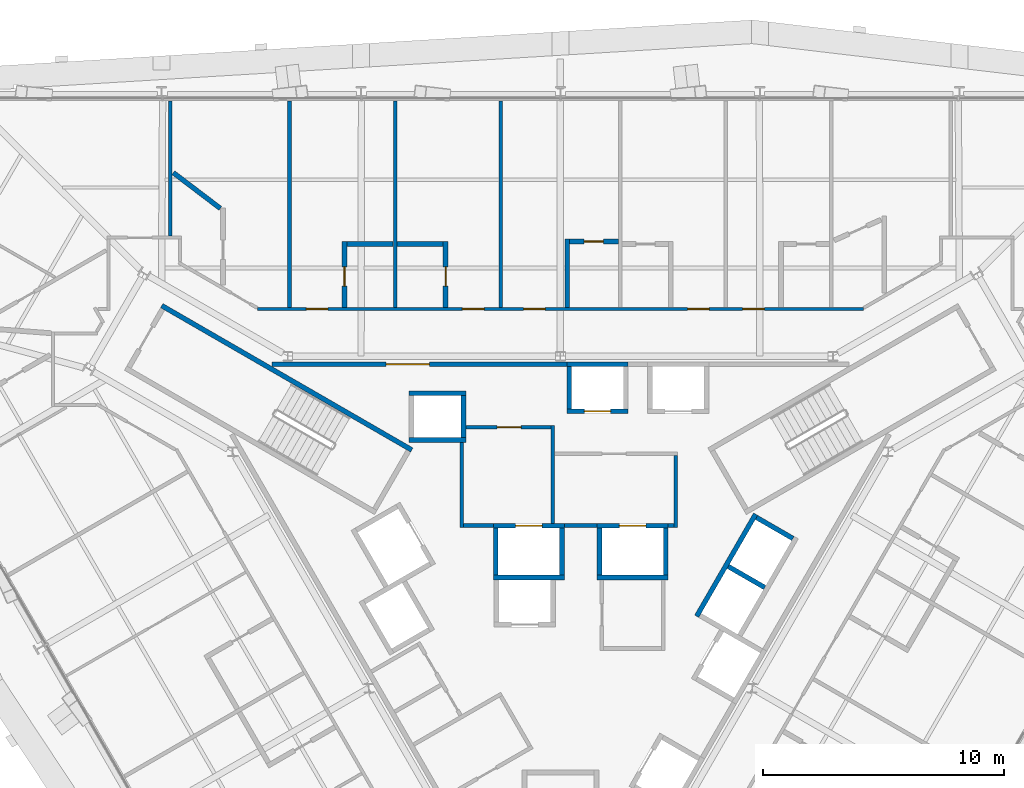
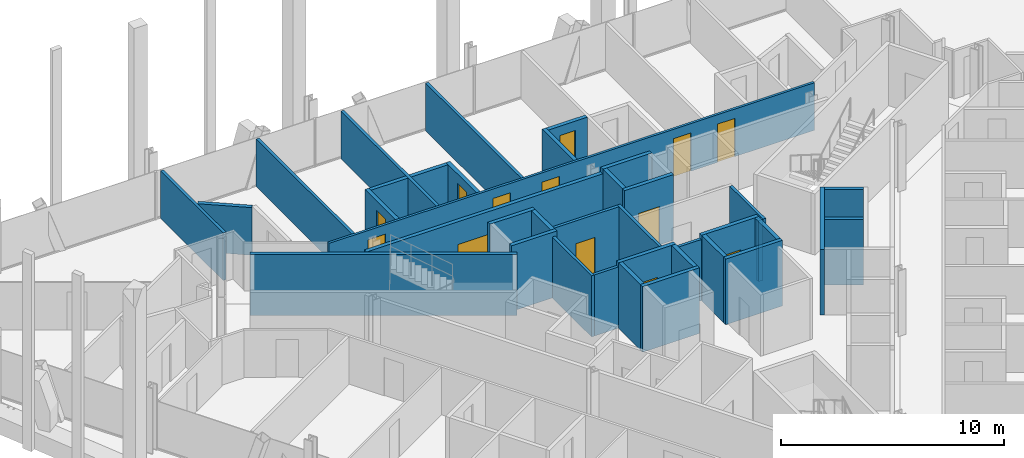
# One storey, part 13 of 17: 38 walls, 13 doors, 13 openings.
"""IFC4 building model written with IfcOpenShell, lengths in metres."""

from ifc_helpers import new_model, si_unit, direction, frame, frame_2d, origin, place, context, subcontext, project, spatial, rectangle, extrude, material, layer, layer_set, type_object, element, fill, save


model = new_model("IFC4")

# Units and contexts
model_context = context("Model", 3, precision=1e-05, world=origin(), true_north=direction((0.0, 1.0)))
body_context = subcontext(model_context, "Body", "Model", "MODEL_VIEW")
ifc_project = project(units=[si_unit("LENGTHUNIT", "METRE"), si_unit("AREAUNIT", "SQUARE_METRE"), si_unit("VOLUMEUNIT", "CUBIC_METRE"), si_unit("PLANEANGLEUNIT", "RADIAN"), si_unit("MASSUNIT", "GRAM", prefix="KILO")], contexts=[model_context])

# Site, building, storey
site_placement = place(None, origin())
site = spatial("IfcSite", under=ifc_project, at=site_placement, CompositionType="ELEMENT")
building_placement = place(site_placement, origin())
building = spatial("IfcBuilding", under=site, at=building_placement, Name="Verrane Prism Tower", CompositionType="ELEMENT")
storey_placement = place(building_placement, frame((0.0, 0.0, 132.39990234375)))
storey = spatial("IfcBuildingStorey", under=building, at=storey_placement, Name="L32", CompositionType="ELEMENT", Elevation=132.39990234375)

# Wall, opening, door
ifc_material_1 = material(Name="Gypsum board partition", Category="other")
ifc_layer_1 = layer(ifc_material_1, 0.199951171875)
ifc_layer_set_1 = layer_set([ifc_layer_1], Name="CW-200 core boundary wall 2 h")
wall_type_1 = type_object("IfcWallType", Name="CW-200 core boundary wall 2 h", PredefinedType="PARTITIONING", material=ifc_layer_set_1)
wall_1_placement = place(storey_placement, frame((0.262939453125, 8.860107421875, 0.0), z_axis=(0.0, 0.0, 1.0), x_axis=(-1.0, 0.0, 0.0)))
wall_1 = element("IfcWall", 1, at=wall_1_placement, inside=storey, type_object=wall_type_1, Name="Core boundary wall CW3-002", PredefinedType="PARTITIONING", context=body_context, shape_type="SweptSolid", body=[
    extrude(rectangle(XDim=12.25390625, YDim=0.199951171875, at=frame_2d((6.126953125, 0.0))), origin(), (0.0, 0.0, 1.0), 3.35009765625),
])
opening_1_placement = place(wall_1_placement, frame((5.708984375, 0.0, 0.0)))
opening_1 = element("IfcOpeningElement", 2, at=opening_1_placement, cuts=wall_1, Name="Opening D32511", PredefinedType="OPENING", context=body_context, shape_type="SweptSolid", body=[
    extrude(rectangle(XDim=1.800048828125, YDim=2.10009765625, at=frame_2d((0.89990234375, 1.050048828125))), frame((0.0, 0.10986328125, 0.0), z_axis=(0.0, -1.0, 0.0), x_axis=(1.0, 0.0, 0.0)), (0.0, 0.0, 1.0), 0.219970703125),
])
ifc_material_2 = material(Name="Timber veneered door leaf", Category="wood")
door_type_1 = type_object("IfcDoorType", Name="DR-1800x2100 FD60 double leaf lift lobby", OperationType="NOTDEFINED", PredefinedType="DOOR", material=ifc_material_2)
door_1_placement = place(opening_1_placement, origin())
door_1 = element("IfcDoor", 3, at=door_1_placement, inside=storey, type_object=door_type_1, Name="Lift lobby door D32511", OperationType="DOUBLE_DOOR_SINGLE_SWING", OverallHeight=2.10009765625, OverallWidth=1.800048828125, PredefinedType="DOOR", context=body_context, shape_type="SweptSolid", body=[
    extrude(rectangle(XDim=1.800048828125, YDim=2.10009765625, at=frame_2d((0.89990234375, 1.050048828125))), frame((0.0, 0.02490234375, 0.0), z_axis=(0.0, -1.0, 0.0), x_axis=(1.0, 0.0, 0.0)), (0.0, 0.0, 1.0), 0.050048828125),
])
fill(opening_1, door_1)

# Walls
ifc_material_3 = material(Name="Concrete C40/50", Category="concrete")
ifc_layer_2 = layer(ifc_material_3, 0.199951171875)
ifc_layer_set_2 = layer_set([ifc_layer_2], Name="CW-200 stair core wall concrete C40/50 3 h")
wall_type_2 = type_object("IfcWallType", Name="CW-200 stair core wall concrete C40/50 3 h", PredefinedType="PARTITIONING", material=ifc_layer_set_2)
wall_2_placement = place(storey_placement, frame((-6.17822265625, 5.299072265625, 0.0), z_axis=(0.0, 0.0, 1.0), x_axis=(-0.866026010844, 0.49999894854, 0.0)))
element("IfcWall", 4, at=wall_2_placement, inside=storey, type_object=wall_type_2, Name="Stair 2 enclosure wall", PredefinedType="PARTITIONING", context=body_context, shape_type="SweptSolid", body=[
    extrude(rectangle(XDim=12.0, YDim=0.199951171875, at=frame_2d((6.0, 0.0))), origin(), (0.0, 0.0, 1.0), 3.35009765625),
])
ifc_material_4 = material(Name="Gypsum board shaft wall assembly", Category="other")
ifc_layer_3 = layer(ifc_material_4, 0.199951171875)
ifc_layer_set_3 = layer_set([ifc_layer_3], Name="HW-200 lift shaft wall 2 h")
wall_type_3 = type_object("IfcWallType", Name="HW-200 lift shaft wall 2 h", PredefinedType="PARTITIONING", material=ifc_layer_set_3)
wall_3_placement = place(storey_placement, frame((-2.784912109375, 0.0, 0.0), z_axis=(0.0, 0.0, 1.0), x_axis=(1.0, 0.0, 0.0)))
element("IfcWall", 5, at=wall_3_placement, inside=storey, type_object=wall_type_3, Name="Lift shaft wall", PredefinedType="PARTITIONING", context=body_context, shape_type="SweptSolid", body=[
    extrude(rectangle(XDim=2.949951171875, YDim=0.199951171875, at=frame_2d((1.47509765625, 0.0))), origin(), (0.0, 0.0, 1.0), 3.60009765625),
])
wall_4_placement = place(storey_placement, frame((1.52490234375, 0.0, 0.0), z_axis=(0.0, 0.0, 1.0), x_axis=(1.0, 0.0, 0.0)))
element("IfcWall", 6, at=wall_4_placement, inside=storey, type_object=wall_type_3, Name="Lift shaft wall", PredefinedType="PARTITIONING", context=body_context, shape_type="SweptSolid", body=[
    extrude(rectangle(XDim=2.9501953125, YDim=0.199951171875, at=frame_2d((1.47509765625, 0.0))), origin(), (0.0, 0.0, 1.0), 3.60009765625),
])

# Wall, opening, door
wall_5_placement = place(storey_placement, frame((-2.784912109375, 2.14990234375, 0.0), z_axis=(0.0, 0.0, 1.0), x_axis=(1.0, 0.0, 0.0)))
wall_5 = element("IfcWall", 7, at=wall_5_placement, inside=storey, type_object=wall_type_3, Name="Lift shaft wall", PredefinedType="PARTITIONING", context=body_context, shape_type="SweptSolid", body=[
    extrude(rectangle(XDim=2.949951171875, YDim=0.199951171875, at=frame_2d((1.47509765625, 0.0))), origin(), (0.0, 0.0, 1.0), 3.60009765625),
])
opening_2_placement = place(wall_5_placement, frame((0.925048828125, 0.0, 0.0)))
opening_2 = element("IfcOpeningElement", 8, at=opening_2_placement, cuts=wall_5, Name="Opening D32508", PredefinedType="OPENING", context=body_context, shape_type="SweptSolid", body=[
    extrude(rectangle(XDim=1.10009765625, YDim=2.10009765625, at=frame_2d((0.550048828125, 1.050048828125))), frame((0.0, 0.10986328125, 0.0), z_axis=(0.0, -1.0, 0.0), x_axis=(1.0, 0.0, 0.0)), (0.0, 0.0, 1.0), 0.219970703125),
])
ifc_material_5 = material(Name="Stainless steel sliding landing door", Category="steel")
door_type_2 = type_object("IfcDoorType", Name="LD-1100x2100 lift landing door FD90 sliding", OperationType="NOTDEFINED", PredefinedType="DOOR", material=ifc_material_5)
door_2_placement = place(opening_2_placement, origin())
door_2 = element("IfcDoor", 9, at=door_2_placement, inside=storey, type_object=door_type_2, Name="Fire service lift 1 landing door", OperationType="SLIDING_TO_LEFT", OverallHeight=2.10009765625, OverallWidth=1.10009765625, PredefinedType="DOOR", context=body_context, shape_type="SweptSolid", body=[
    extrude(rectangle(XDim=1.10009765625, YDim=2.10009765625, at=frame_2d((0.550048828125, 1.050048828125))), frame((0.0, 0.02490234375, 0.0), z_axis=(0.0, -1.0, 0.0), x_axis=(1.0, 0.0, 0.0)), (0.0, 0.0, 1.0), 0.050048828125),
])
fill(opening_2, door_2)

wall_6_placement = place(storey_placement, frame((1.52490234375, 2.14990234375, 0.0), z_axis=(0.0, 0.0, 1.0), x_axis=(1.0, 0.0, 0.0)))
wall_6 = element("IfcWall", 10, at=wall_6_placement, inside=storey, type_object=wall_type_3, Name="Lift shaft wall", PredefinedType="PARTITIONING", context=body_context, shape_type="SweptSolid", body=[
    extrude(rectangle(XDim=2.9501953125, YDim=0.199951171875, at=frame_2d((1.47509765625, 0.0))), origin(), (0.0, 0.0, 1.0), 3.60009765625),
])
opening_3_placement = place(wall_6_placement, frame((0.925048828125, 0.0, 0.0)))
opening_3 = element("IfcOpeningElement", 11, at=opening_3_placement, cuts=wall_6, Name="Opening D32509", PredefinedType="OPENING", context=body_context, shape_type="SweptSolid", body=[
    extrude(rectangle(XDim=1.10009765625, YDim=2.10009765625, at=frame_2d((0.550048828125, 1.050048828125))), frame((0.0, 0.10986328125, 0.0), z_axis=(0.0, -1.0, 0.0), x_axis=(1.0, 0.0, 0.0)), (0.0, 0.0, 1.0), 0.219970703125),
])
door_3_placement = place(opening_3_placement, origin())
door_3 = element("IfcDoor", 12, at=door_3_placement, inside=storey, type_object=door_type_2, Name="Fire service lift 2 landing door", OperationType="SLIDING_TO_RIGHT", OverallHeight=2.10009765625, OverallWidth=1.10009765625, PredefinedType="DOOR", context=body_context, shape_type="SweptSolid", body=[
    extrude(rectangle(XDim=1.10009765625, YDim=2.10009765625, at=frame_2d((0.550048828125, 1.050048828125))), frame((0.0, 0.02490234375, 0.0), z_axis=(0.0, -1.0, 0.0), x_axis=(1.0, 0.0, 0.0)), (0.0, 0.0, 1.0), 0.050048828125),
])
fill(opening_3, door_3)

# Wall
wall_7_placement = place(storey_placement, frame((-6.284912109375, 5.7099609375, 0.0), z_axis=(0.0, 0.0, 1.0), x_axis=(1.0, 0.0, 0.0)))
element("IfcWall", 13, at=wall_7_placement, inside=storey, type_object=wall_type_3, Name="Lift shaft wall", PredefinedType="PARTITIONING", context=body_context, shape_type="SweptSolid", body=[
    extrude(rectangle(XDim=2.349853515625, YDim=0.199951171875, at=frame_2d((1.1748046875, 0.0))), origin(), (0.0, 0.0, 1.0), 3.60009765625),
])

# Wall, opening, door
wall_8_placement = place(storey_placement, frame((0.264892578125, 6.909912109375, 0.0), z_axis=(0.0, 0.0, 1.0), x_axis=(1.0, 0.0, 0.0)))
wall_8 = element("IfcWall", 14, at=wall_8_placement, inside=storey, type_object=wall_type_3, Name="Lift shaft wall", PredefinedType="PARTITIONING", context=body_context, shape_type="SweptSolid", body=[
    extrude(rectangle(XDim=2.550048828125, YDim=0.199951171875, at=frame_2d((1.27490234375, 0.0))), origin(), (0.0, 0.0, 1.0), 3.60009765625),
])
opening_4_placement = place(wall_8_placement, frame((0.72509765625, 0.0, 0.0)))
opening_4 = element("IfcOpeningElement", 15, at=opening_4_placement, cuts=wall_8, Name="Opening D32503", PredefinedType="OPENING", context=body_context, shape_type="SweptSolid", body=[
    extrude(rectangle(XDim=1.10009765625, YDim=2.10009765625, at=frame_2d((0.550048828125, 1.050048828125))), frame((0.0, 0.10986328125, 0.0), z_axis=(0.0, -1.0, 0.0), x_axis=(1.0, 0.0, 0.0)), (0.0, 0.0, 1.0), 0.219970703125),
])
door_4_placement = place(opening_4_placement, origin())
door_4 = element("IfcDoor", 16, at=door_4_placement, inside=storey, type_object=door_type_2, Name="Bank A lift 1 landing door", OperationType="SLIDING_TO_LEFT", OverallHeight=2.10009765625, OverallWidth=1.10009765625, PredefinedType="DOOR", context=body_context, shape_type="SweptSolid", body=[
    extrude(rectangle(XDim=1.10009765625, YDim=2.10009765625, at=frame_2d((0.550048828125, 1.050048828125))), frame((0.0, 0.02490234375, 0.0), z_axis=(0.0, -1.0, 0.0), x_axis=(1.0, 0.0, 0.0)), (0.0, 0.0, 1.0), 0.050048828125),
])
fill(opening_4, door_4)

# Walls
wall_9_placement = place(storey_placement, frame((-6.284912109375, 7.659912109375, 0.0), z_axis=(0.0, 0.0, 1.0), x_axis=(1.0, 0.0, 0.0)))
element("IfcWall", 17, at=wall_9_placement, inside=storey, type_object=wall_type_3, Name="Lift shaft wall", PredefinedType="PARTITIONING", context=body_context, shape_type="SweptSolid", body=[
    extrude(rectangle(XDim=2.349853515625, YDim=0.199951171875, at=frame_2d((1.1748046875, 0.0))), origin(), (0.0, 0.0, 1.0), 3.60009765625),
])
wall_10_placement = place(storey_placement, frame((0.264892578125, 8.860107421875, 0.0), z_axis=(0.0, 0.0, 1.0), x_axis=(1.0, 0.0, 0.0)))
element("IfcWall", 18, at=wall_10_placement, inside=storey, type_object=wall_type_3, Name="Lift shaft wall", PredefinedType="PARTITIONING", context=body_context, shape_type="SweptSolid", body=[
    extrude(rectangle(XDim=2.550048828125, YDim=0.199951171875, at=frame_2d((1.27490234375, 0.0))), origin(), (0.0, 0.0, 1.0), 3.60009765625),
])
wall_11_placement = place(storey_placement, frame((5.66259765625, -1.6123046875, 0.0), z_axis=(0.0, 0.0, 1.0), x_axis=(0.49998122708, 0.866036242063, 0.0)))
element("IfcWall", 19, at=wall_11_placement, inside=storey, type_object=wall_type_3, Name="Lift shaft wall", PredefinedType="PARTITIONING", context=body_context, shape_type="SweptSolid", body=[
    extrude(rectangle(XDim=4.900146484375, YDim=0.199951171875, at=frame_2d((2.4501953125, 0.0))), origin(), (0.0, 0.0, 1.0), 3.60009765625),
])
for number, where, z_axis, x_axis, name in (
    (20, (4.375, 0.10009765625, 0.0), (0.0, 0.0, 1.0), (0.0, 1.0, 0.0), "Lift shaft wall"),
    (21, (1.625, 0.10009765625, 0.0), (0.0, 0.0, 1.0), (0.0, 1.0, 0.0), "Lift shaft wall"),
):
    element("IfcWall", number, at=place(storey_placement, frame(where, z_axis=z_axis, x_axis=x_axis)), inside=storey, type_object=wall_type_3, Name=name, PredefinedType="PARTITIONING", context=body_context, shape_type="SweptSolid", body=[
        extrude(rectangle(XDim=1.949951171875, YDim=0.199951171875, at=frame_2d((0.97509765625, 0.0))), origin(), (0.0, 0.0, 1.0), 3.60009765625),
    ])
wall_12_placement = place(storey_placement, frame((0.364990234375, 7.010009765625, 0.0), z_axis=(0.0, 0.0, 1.0), x_axis=(0.0, 1.0, 0.0)))
element("IfcWall", 22, at=wall_12_placement, inside=storey, type_object=wall_type_3, Name="Lift shaft wall", PredefinedType="PARTITIONING", context=body_context, shape_type="SweptSolid", body=[
    extrude(rectangle(XDim=1.75, YDim=0.199951171875, at=frame_2d((0.875, 0.0))), origin(), (0.0, 0.0, 1.0), 3.60009765625),
])
for number, where, z_axis, x_axis, name in (
    (23, (0.06494140625, 0.10009765625, 0.0), (0.0, 0.0, 1.0), (0.0, 1.0, 0.0), "Lift shaft wall"),
    (24, (-2.68505859375, 0.10009765625, 0.0), (0.0, 0.0, 1.0), (0.0, 1.0, 0.0), "Lift shaft wall"),
):
    element("IfcWall", number, at=place(storey_placement, frame(where, z_axis=z_axis, x_axis=x_axis)), inside=storey, type_object=wall_type_3, Name=name, PredefinedType="PARTITIONING", context=body_context, shape_type="SweptSolid", body=[
        extrude(rectangle(XDim=1.949951171875, YDim=0.199951171875, at=frame_2d((0.97509765625, 0.0))), origin(), (0.0, 0.0, 1.0), 3.60009765625),
    ])
wall_13_placement = place(storey_placement, frame((-4.034912109375, 5.81005859375, 0.0), z_axis=(0.0, 0.0, 1.0), x_axis=(0.0, 1.0, 0.0)))
element("IfcWall", 25, at=wall_13_placement, inside=storey, type_object=wall_type_3, Name="Lift shaft wall", PredefinedType="PARTITIONING", context=body_context, shape_type="SweptSolid", body=[
    extrude(rectangle(XDim=1.75, YDim=0.199951171875, at=frame_2d((0.875, 0.0))), origin(), (0.0, 0.0, 1.0), 3.60009765625),
])
wall_14_placement = place(storey_placement, frame((9.66455078125, 1.61962890625, 0.0), z_axis=(0.0, 0.0, 1.0), x_axis=(-0.866002029911, 0.500040482552, 0.0)))
element("IfcWall", 26, at=wall_14_placement, inside=storey, type_object=wall_type_3, Name="Lift shaft wall", PredefinedType="PARTITIONING", context=body_context, shape_type="SweptSolid", body=[
    extrude(rectangle(XDim=1.749755859375, YDim=0.199951171875, at=frame_2d((0.875, 0.0))), origin(), (0.0, 0.0, 1.0), 3.60009765625),
])
wall_15_placement = place(storey_placement, frame((8.48974609375, -0.41552734375, 0.0), z_axis=(0.0, 0.0, 1.0), x_axis=(-0.866036909293, 0.499980071345, 0.0)))
element("IfcWall", 27, at=wall_15_placement, inside=storey, type_object=wall_type_3, Name="Lift shaft wall", PredefinedType="PARTITIONING", context=body_context, shape_type="SweptSolid", body=[
    extrude(rectangle(XDim=1.75, YDim=0.199951171875, at=frame_2d((0.875, 0.0))), origin(), (0.0, 0.0, 1.0), 3.60009765625),
])
ifc_material_6 = material(Name="Gypsum board partition", Category="other")
ifc_layer_4 = layer(ifc_material_6, 0.14990234375)
ifc_layer_set_4 = layer_set([ifc_layer_4], Name="LF-150 firefighting lobby wall 1 h")
wall_type_4 = type_object("IfcWallType", Name="LF-150 firefighting lobby wall 1 h", PredefinedType="PARTITIONING", material=ifc_layer_set_4)
wall_16_placement = place(storey_placement, frame((-4.10009765625, 2.0849609375, 0.0), z_axis=(0.0, 0.0, 1.0), x_axis=(0.0, 1.0, 0.0)))
element("IfcWall", 28, at=wall_16_placement, inside=storey, type_object=wall_type_4, Name="Firefighting lobby wall LF1-001", PredefinedType="PARTITIONING", context=body_context, shape_type="SweptSolid", body=[
    extrude(rectangle(XDim=3.52294921875, YDim=0.14990234375, at=frame_2d((1.761474609375, 0.0))), origin(), (0.0, 0.0, 1.0), 3.35009765625),
])
wall_17_placement = place(storey_placement, frame((-4.02490234375, 2.159912109375, 0.0), z_axis=(0.0, 0.0, 1.0), x_axis=(1.0, 0.0, 0.0)))
element("IfcWall", 29, at=wall_17_placement, inside=storey, type_object=wall_type_4, Name="Firefighting lobby wall LF1-002", PredefinedType="PARTITIONING", context=body_context, shape_type="SweptSolid", body=[
    extrude(rectangle(XDim=1.23779296875, YDim=0.14990234375, at=frame_2d((0.618896484375, 0.0))), origin(), (0.0, 0.0, 1.0), 3.35009765625),
])

# Wall, opening, door
wall_18_placement = place(storey_placement, frame((-3.93310546875, 6.239990234375, 0.0), z_axis=(0.0, 0.0, 1.0), x_axis=(1.0, 0.0, 0.0)))
wall_18 = element("IfcWall", 30, at=wall_18_placement, inside=storey, type_object=wall_type_4, Name="Firefighting lobby wall LF1-003", PredefinedType="PARTITIONING", context=body_context, shape_type="SweptSolid", body=[
    extrude(rectangle(XDim=3.5380859375, YDim=0.14990234375, at=frame_2d((1.76904296875, 0.0))), origin(), (0.0, 0.0, 1.0), 3.35009765625),
])
opening_5_placement = place(wall_18_placement, frame((1.300048828125, 0.0, 0.0)))
opening_5 = element("IfcOpeningElement", 31, at=opening_5_placement, cuts=wall_18, Name="Opening D32515", PredefinedType="OPENING", context=body_context, shape_type="SweptSolid", body=[
    extrude(rectangle(XDim=1.0, YDim=2.10009765625, at=frame_2d((0.5, 1.050048828125))), frame((0.0, 0.0849609375, 0.0), z_axis=(0.0, -1.0, 0.0), x_axis=(1.0, 0.0, 0.0)), (0.0, 0.0, 1.0), 0.169921875),
])
ifc_material_7 = material(Name="Timber veneered door leaf", Category="wood")
door_type_3 = type_object("IfcDoorType", Name="DR-1000x2100 FD60 single leaf firefighting lobby", OperationType="NOTDEFINED", PredefinedType="DOOR", material=ifc_material_7)
door_5_placement = place(opening_5_placement, origin())
door_5 = element("IfcDoor", 32, at=door_5_placement, inside=storey, type_object=door_type_3, Name="Firefighting lobby door D32515", OperationType="SINGLE_SWING_LEFT", OverallHeight=2.10009765625, OverallWidth=1.0, PredefinedType="DOOR", context=body_context, shape_type="SweptSolid", body=[
    extrude(rectangle(XDim=1.0, YDim=2.10009765625, at=frame_2d((0.5, 1.050048828125))), frame((0.0, 0.02490234375, 0.0), z_axis=(0.0, -1.0, 0.0), x_axis=(1.0, 0.0, 0.0)), (0.0, 0.0, 1.0), 0.050048828125),
])
fill(opening_5, door_5)

# Walls
wall_19_placement = place(storey_placement, frame((-0.320068359375, 2.251953125, 0.0), z_axis=(0.0, 0.0, 1.0), x_axis=(0.0, 1.0, 0.0)))
element("IfcWall", 33, at=wall_19_placement, inside=storey, type_object=wall_type_4, Name="Firefighting lobby wall LF1-004", PredefinedType="PARTITIONING", context=body_context, shape_type="SweptSolid", body=[
    extrude(rectangle(XDim=4.06298828125, YDim=0.14990234375, at=frame_2d((2.031494140625, 0.0))), origin(), (0.0, 0.0, 1.0), 3.35009765625),
])
wall_20_placement = place(storey_placement, frame((0.1669921875, 2.159912109375, 0.0), z_axis=(0.0, 0.0, 1.0), x_axis=(1.0, 0.0, 0.0)))
element("IfcWall", 34, at=wall_20_placement, inside=storey, type_object=wall_type_4, Name="Firefighting lobby wall LF1-006", PredefinedType="PARTITIONING", context=body_context, shape_type="SweptSolid", body=[
    extrude(rectangle(XDim=1.35595703125, YDim=0.14990234375, at=frame_2d((0.677978515625, 0.0))), origin(), (0.0, 0.0, 1.0), 3.35009765625),
])
wall_21_placement = place(storey_placement, frame((4.47705078125, 2.159912109375, 0.0), z_axis=(0.0, 0.0, 1.0), x_axis=(1.0, 0.0, 0.0)))
element("IfcWall", 35, at=wall_21_placement, inside=storey, type_object=wall_type_4, Name="Firefighting lobby wall LF1-007", PredefinedType="PARTITIONING", context=body_context, shape_type="SweptSolid", body=[
    extrude(rectangle(XDim=0.238037109375, YDim=0.14990234375, at=frame_2d((0.119140625, 0.0))), origin(), (0.0, 0.0, 1.0), 3.35009765625),
])
wall_22_placement = place(storey_placement, frame((4.7900390625, 2.0849609375, 0.0), z_axis=(0.0, 0.0, 1.0), x_axis=(0.0, 1.0, 0.0)))
element("IfcWall", 36, at=wall_22_placement, inside=storey, type_object=wall_type_4, Name="Firefighting lobby wall LF1-008", PredefinedType="PARTITIONING", context=body_context, shape_type="SweptSolid", body=[
    extrude(rectangle(XDim=2.97998046875, YDim=0.14990234375, at=frame_2d((1.489990234375, 0.0))), origin(), (0.0, 0.0, 1.0), 3.35009765625),
])

# Wall, openings, doors
ifc_material_8 = material(Name="Gypsum board partition", Category="other")
ifc_layer_5 = layer(ifc_material_8, 0.125)
ifc_layer_set_5 = layer_set([ifc_layer_5], Name="PW-125 corridor wall 1 h")
wall_type_5 = type_object("IfcWallType", Name="PW-125 corridor wall 1 h", PredefinedType="PARTITIONING", material=ifc_layer_set_5)
wall_23_placement = place(storey_placement, frame((-12.593505859375, 11.160888671875, 0.0), z_axis=(0.0, 0.0, 1.0), x_axis=(1.0, 0.0, 0.0)))
wall_23 = element("IfcWall", 37, at=wall_23_placement, inside=storey, type_object=wall_type_5, Name="Corridor wall 030", PredefinedType="PARTITIONING", context=body_context, shape_type="SweptSolid", body=[
    extrude(rectangle(XDim=25.18701171875, YDim=0.125, at=frame_2d((12.593505859375, 0.0))), origin(), (0.0, 0.0, 1.0), 2.613037109375),
])
opening_6_placement = place(wall_23_placement, frame((20.16552734375, 0.0, 0.0)))
opening_6 = element("IfcOpeningElement", 38, at=opening_6_placement, cuts=wall_23, Name="Opening D32019", PredefinedType="OPENING", context=body_context, shape_type="SweptSolid", body=[
    extrude(rectangle(XDim=0.89990234375, YDim=2.10009765625, at=frame_2d((0.449951171875, 1.050048828125))), frame((0.0, 0.072509765625, 0.0), z_axis=(0.0, -1.0, 0.0), x_axis=(1.0, 0.0, 0.0)), (0.0, 0.0, 1.0), 0.14501953125),
])
opening_7_placement = place(wall_23_placement, frame((17.87548828125, 0.0, 0.0)))
opening_7 = element("IfcOpeningElement", 39, at=opening_7_placement, cuts=wall_23, Name="Opening D32021", PredefinedType="OPENING", context=body_context, shape_type="SweptSolid", body=[
    extrude(rectangle(XDim=0.89990234375, YDim=2.10009765625, at=frame_2d((0.449951171875, 1.050048828125))), frame((0.0, 0.072509765625, 0.0), z_axis=(0.0, -1.0, 0.0), x_axis=(1.0, 0.0, 0.0)), (0.0, 0.0, 1.0), 0.14501953125),
])
opening_8_placement = place(wall_23_placement, frame((11.0615234375, 0.0, 0.0)))
opening_8 = element("IfcOpeningElement", 40, at=opening_8_placement, cuts=wall_23, Name="Opening D32023", PredefinedType="OPENING", context=body_context, shape_type="SweptSolid", body=[
    extrude(rectangle(XDim=0.89990234375, YDim=2.10009765625, at=frame_2d((0.449951171875, 1.050048828125))), frame((0.0, 0.072509765625, 0.0), z_axis=(0.0, -1.0, 0.0), x_axis=(1.0, 0.0, 0.0)), (0.0, 0.0, 1.0), 0.14501953125),
])
opening_9_placement = place(wall_23_placement, frame((8.521484375, 0.0, 0.0)))
opening_9 = element("IfcOpeningElement", 41, at=opening_9_placement, cuts=wall_23, Name="Opening D32025", PredefinedType="OPENING", context=body_context, shape_type="SweptSolid", body=[
    extrude(rectangle(XDim=0.89990234375, YDim=2.10009765625, at=frame_2d((0.449951171875, 1.050048828125))), frame((0.0, 0.072509765625, 0.0), z_axis=(0.0, -1.0, 0.0), x_axis=(1.0, 0.0, 0.0)), (0.0, 0.0, 1.0), 0.14501953125),
])
opening_10_placement = place(wall_23_placement, frame((2.031494140625, 0.0, 0.0)))
opening_10 = element("IfcOpeningElement", 42, at=opening_10_placement, cuts=wall_23, Name="Opening D32027", PredefinedType="OPENING", context=body_context, shape_type="SweptSolid", body=[
    extrude(rectangle(XDim=0.89990234375, YDim=2.10009765625, at=frame_2d((0.449951171875, 1.050048828125))), frame((0.0, 0.072509765625, 0.0), z_axis=(0.0, -1.0, 0.0), x_axis=(1.0, 0.0, 0.0)), (0.0, 0.0, 1.0), 0.14501953125),
])
ifc_material_9 = material(Name="Timber veneered door leaf", Category="wood")
door_type_4 = type_object("IfcDoorType", Name="DR-900x2100 FD20 single leaf unit", OperationType="NOTDEFINED", PredefinedType="DOOR", material=ifc_material_9)
door_6_placement = place(opening_6_placement, origin())
door_6 = element("IfcDoor", 43, at=door_6_placement, inside=storey, type_object=door_type_4, Name="Guest Room door", OperationType="SINGLE_SWING_LEFT", OverallHeight=2.10009765625, OverallWidth=0.89990234375, PredefinedType="DOOR", context=body_context, shape_type="SweptSolid", body=[
    extrude(rectangle(XDim=0.89990234375, YDim=2.10009765625, at=frame_2d((0.449951171875, 1.050048828125))), frame((0.0, 0.02490234375, 0.0), z_axis=(0.0, -1.0, 0.0), x_axis=(1.0, 0.0, 0.0)), (0.0, 0.0, 1.0), 0.050048828125),
])
fill(opening_6, door_6)
door_7_placement = place(opening_7_placement, origin())
door_7 = element("IfcDoor", 44, at=door_7_placement, inside=storey, type_object=door_type_4, Name="Guest Room door", OperationType="SINGLE_SWING_LEFT", OverallHeight=2.10009765625, OverallWidth=0.89990234375, PredefinedType="DOOR", context=body_context, shape_type="SweptSolid", body=[
    extrude(rectangle(XDim=0.89990234375, YDim=2.10009765625, at=frame_2d((0.449951171875, 1.050048828125))), frame((0.0, 0.02490234375, 0.0), z_axis=(0.0, -1.0, 0.0), x_axis=(1.0, 0.0, 0.0)), (0.0, 0.0, 1.0), 0.050048828125),
])
fill(opening_7, door_7)
door_8_placement = place(opening_8_placement, origin())
door_8 = element("IfcDoor", 45, at=door_8_placement, inside=storey, type_object=door_type_4, Name="Guest Room door", OperationType="SINGLE_SWING_LEFT", OverallHeight=2.10009765625, OverallWidth=0.89990234375, PredefinedType="DOOR", context=body_context, shape_type="SweptSolid", body=[
    extrude(rectangle(XDim=0.89990234375, YDim=2.10009765625, at=frame_2d((0.449951171875, 1.050048828125))), frame((0.0, 0.02490234375, 0.0), z_axis=(0.0, -1.0, 0.0), x_axis=(1.0, 0.0, 0.0)), (0.0, 0.0, 1.0), 0.050048828125),
])
fill(opening_8, door_8)
door_9_placement = place(opening_9_placement, origin())
door_9 = element("IfcDoor", 46, at=door_9_placement, inside=storey, type_object=door_type_4, Name="Guest Room door", OperationType="SINGLE_SWING_LEFT", OverallHeight=2.10009765625, OverallWidth=0.89990234375, PredefinedType="DOOR", context=body_context, shape_type="SweptSolid", body=[
    extrude(rectangle(XDim=0.89990234375, YDim=2.10009765625, at=frame_2d((0.449951171875, 1.050048828125))), frame((0.0, 0.02490234375, 0.0), z_axis=(0.0, -1.0, 0.0), x_axis=(1.0, 0.0, 0.0)), (0.0, 0.0, 1.0), 0.050048828125),
])
fill(opening_9, door_9)
door_10_placement = place(opening_10_placement, origin())
door_10 = element("IfcDoor", 47, at=door_10_placement, inside=storey, type_object=door_type_4, Name="Guest Room door", OperationType="SINGLE_SWING_LEFT", OverallHeight=2.10009765625, OverallWidth=0.89990234375, PredefinedType="DOOR", context=body_context, shape_type="SweptSolid", body=[
    extrude(rectangle(XDim=0.89990234375, YDim=2.10009765625, at=frame_2d((0.449951171875, 1.050048828125))), frame((0.0, 0.02490234375, 0.0), z_axis=(0.0, -1.0, 0.0), x_axis=(1.0, 0.0, 0.0)), (0.0, 0.0, 1.0), 0.050048828125),
])
fill(opening_10, door_10)

# Walls
ifc_material_10 = material(Name="Gypsum board partition", Category="other")
ifc_layer_6 = layer(ifc_material_10, 0.14990234375)
ifc_layer_set_6 = layer_set([ifc_layer_6], Name="PW-150 demising wall 1 h")
wall_type_6 = type_object("IfcWallType", Name="PW-150 demising wall 1 h", PredefinedType="PARTITIONING", material=ifc_layer_set_6)
wall_24_placement = place(storey_placement, frame((-16.22607421875, 14.189453125, 0.0), z_axis=(0.0, 0.0, 1.0), x_axis=(0.0, 1.0, 0.0)))
element("IfcWall", 48, at=wall_24_placement, inside=storey, type_object=wall_type_6, Name="Demising wall 019", PredefinedType="PARTITIONING", context=body_context, shape_type="SweptSolid", body=[
    extrude(rectangle(XDim=5.62548828125, YDim=0.14990234375, at=frame_2d((2.812744140625, 0.0))), origin(), (0.0, 0.0, 1.0), 2.613037109375),
])
for number, where, z_axis, x_axis, name in (
    (49, (-11.261962890625, 11.223388671875, 0.0), (0.0, 0.0, 1.0), (0.0, 1.0, 0.0), "Demising wall 032"),
    (50, (-6.8720703125, 11.223388671875, 0.0), (0.0, 0.0, 1.0), (0.0, 1.0, 0.0), "Demising wall 039"),
    (51, (-2.48193359375, 11.223388671875, 0.0), (0.0, 0.0, 1.0), (0.0, 1.0, 0.0), "Demising wall 046"),
):
    element("IfcWall", number, at=place(storey_placement, frame(where, z_axis=z_axis, x_axis=x_axis)), inside=storey, type_object=wall_type_6, Name=name, PredefinedType="PARTITIONING", context=body_context, shape_type="SweptSolid", body=[
        extrude(rectangle(XDim=8.591552734375, YDim=0.14990234375, at=frame_2d((4.2958984375, 0.0))), origin(), (0.0, 0.0, 1.0), 2.613037109375),
    ])
ifc_material_11 = material(Name="Gypsum board partition", Category="other")
ifc_layer_7 = layer(ifc_material_11, 0.199951171875)
ifc_layer_set_7 = layer_set([ifc_layer_7], Name="PW-200 plumbing wall")
wall_type_7 = type_object("IfcWallType", Name="PW-200 plumbing wall", PredefinedType="PARTITIONING", material=ifc_layer_set_7)
wall_25_placement = place(storey_placement, frame((-16.090576171875, 16.82421875, 0.0), z_axis=(0.0, 0.0, 1.0), x_axis=(0.796497816393, -0.604641404869, 0.0)))
element("IfcWall", 52, at=wall_25_placement, inside=storey, type_object=wall_type_7, Name="Plumbing wall 020", PredefinedType="PARTITIONING", context=body_context, shape_type="SweptSolid", body=[
    extrude(rectangle(XDim=2.4521484375, YDim=0.199951171875, at=frame_2d((1.22607421875, 0.0))), origin(), (0.0, 0.0, 1.0), 2.613037109375),
])

# Wall, opening, door
wall_26_placement = place(storey_placement, frame((-8.971923828125, 13.9609375, 0.0), z_axis=(0.0, 0.0, 1.0), x_axis=(0.0, -1.0, 0.0)))
wall_26 = element("IfcWall", 53, at=wall_26_placement, inside=storey, type_object=wall_type_7, Name="Plumbing wall 034", PredefinedType="PARTITIONING", context=body_context, shape_type="SweptSolid", body=[
    extrude(rectangle(XDim=2.737548828125, YDim=0.199951171875, at=frame_2d((1.36865234375, 0.0))), origin(), (0.0, 0.0, 1.0), 2.613037109375),
])
opening_11_placement = place(wall_26_placement, frame((1.050048828125, 0.0, 0.0)))
opening_11 = element("IfcOpeningElement", 54, at=opening_11_placement, cuts=wall_26, Name="Opening D32028", PredefinedType="OPENING", context=body_context, shape_type="SweptSolid", body=[
    extrude(rectangle(XDim=0.800048828125, YDim=2.10009765625, at=frame_2d((0.39990234375, 1.050048828125))), frame((0.0, 0.10986328125, 0.0), z_axis=(0.0, -1.0, 0.0), x_axis=(1.0, 0.0, 0.0)), (0.0, 0.0, 1.0), 0.219970703125),
])
ifc_material_12 = material(Name="Timber veneered door leaf", Category="wood")
door_type_5 = type_object("IfcDoorType", Name="DR-800x2100 single leaf bath", OperationType="NOTDEFINED", PredefinedType="DOOR", material=ifc_material_12)
door_11_placement = place(opening_11_placement, origin())
door_11 = element("IfcDoor", 55, at=door_11_placement, inside=storey, type_object=door_type_5, Name="En-Suite door", OperationType="SINGLE_SWING_LEFT", OverallHeight=2.10009765625, OverallWidth=0.800048828125, PredefinedType="DOOR", context=body_context, shape_type="SweptSolid", body=[
    extrude(rectangle(XDim=0.800048828125, YDim=2.10009765625, at=frame_2d((0.39990234375, 1.050048828125))), frame((0.0, 0.02490234375, 0.0), z_axis=(0.0, -1.0, 0.0), x_axis=(1.0, 0.0, 0.0)), (0.0, 0.0, 1.0), 0.050048828125),
])
fill(opening_11, door_11)

# Walls
wall_27_placement = place(storey_placement, frame((-8.8720703125, 13.861083984375, 0.0), z_axis=(0.0, 0.0, 1.0), x_axis=(1.0, 0.0, 0.0)))
element("IfcWall", 56, at=wall_27_placement, inside=storey, type_object=wall_type_7, Name="Plumbing wall 035", PredefinedType="PARTITIONING", context=body_context, shape_type="SweptSolid", body=[
    extrude(rectangle(XDim=1.920166015625, YDim=0.199951171875, at=frame_2d((0.9599609375, 0.0))), origin(), (0.0, 0.0, 1.0), 2.613037109375),
])
wall_28_placement = place(storey_placement, frame((-6.7919921875, 13.861083984375, 0.0), z_axis=(0.0, 0.0, 1.0), x_axis=(1.0, 0.0, 0.0)))
element("IfcWall", 57, at=wall_28_placement, inside=storey, type_object=wall_type_7, Name="Plumbing wall 040", PredefinedType="PARTITIONING", context=body_context, shape_type="SweptSolid", body=[
    extrude(rectangle(XDim=1.919921875, YDim=0.199951171875, at=frame_2d((0.9599609375, 0.0))), origin(), (0.0, 0.0, 1.0), 2.613037109375),
])

# Wall, opening, door
wall_29_placement = place(storey_placement, frame((-4.77197265625, 11.223388671875, 0.0), z_axis=(0.0, 0.0, 1.0), x_axis=(0.0, 1.0, 0.0)))
wall_29 = element("IfcWall", 58, at=wall_29_placement, inside=storey, type_object=wall_type_7, Name="Plumbing wall 042", PredefinedType="PARTITIONING", context=body_context, shape_type="SweptSolid", body=[
    extrude(rectangle(XDim=2.737548828125, YDim=0.199951171875, at=frame_2d((1.36865234375, 0.0))), origin(), (0.0, 0.0, 1.0), 2.613037109375),
])
opening_12_placement = place(wall_29_placement, frame((0.887451171875, 0.0, 0.0)))
opening_12 = element("IfcOpeningElement", 59, at=opening_12_placement, cuts=wall_29, Name="Opening D32026", PredefinedType="OPENING", context=body_context, shape_type="SweptSolid", body=[
    extrude(rectangle(XDim=0.800048828125, YDim=2.10009765625, at=frame_2d((0.39990234375, 1.050048828125))), frame((0.0, 0.10986328125, 0.0), z_axis=(0.0, -1.0, 0.0), x_axis=(1.0, 0.0, 0.0)), (0.0, 0.0, 1.0), 0.219970703125),
])
door_12_placement = place(opening_12_placement, origin())
door_12 = element("IfcDoor", 60, at=door_12_placement, inside=storey, type_object=door_type_5, Name="En-Suite door", OperationType="SINGLE_SWING_RIGHT", OverallHeight=2.10009765625, OverallWidth=0.800048828125, PredefinedType="DOOR", context=body_context, shape_type="SweptSolid", body=[
    extrude(rectangle(XDim=0.800048828125, YDim=2.10009765625, at=frame_2d((0.39990234375, 1.050048828125))), frame((0.0, 0.02490234375, 0.0), z_axis=(0.0, -1.0, 0.0), x_axis=(1.0, 0.0, 0.0)), (0.0, 0.0, 1.0), 0.050048828125),
])
fill(opening_12, door_12)

# Wall
wall_30_placement = place(storey_placement, frame((0.281982421875, 11.223388671875, 0.0), z_axis=(0.0, 0.0, 1.0), x_axis=(0.0, 1.0, 0.0)))
element("IfcWall", 61, at=wall_30_placement, inside=storey, type_object=wall_type_7, Name="Plumbing wall 048", PredefinedType="PARTITIONING", context=body_context, shape_type="SweptSolid", body=[
    extrude(rectangle(XDim=2.837646484375, YDim=0.199951171875, at=frame_2d((1.4189453125, 0.0))), origin(), (0.0, 0.0, 1.0), 2.613037109375),
])

# Wall, opening, door
wall_31_placement = place(storey_placement, frame((2.406982421875, 13.9609375, 0.0), z_axis=(0.0, 0.0, 1.0), x_axis=(-1.0, 0.0, 0.0)))
wall_31 = element("IfcWall", 62, at=wall_31_placement, inside=storey, type_object=wall_type_7, Name="Plumbing wall 049", PredefinedType="PARTITIONING", context=body_context, shape_type="SweptSolid", body=[
    extrude(rectangle(XDim=2.02490234375, YDim=0.199951171875, at=frame_2d((1.012451171875, 0.0))), origin(), (0.0, 0.0, 1.0), 2.613037109375),
])
opening_13_placement = place(wall_31_placement, frame((0.625, 0.0, 0.0)))
opening_13 = element("IfcOpeningElement", 63, at=opening_13_placement, cuts=wall_31, Name="Opening D32024", PredefinedType="OPENING", context=body_context, shape_type="SweptSolid", body=[
    extrude(rectangle(XDim=0.800048828125, YDim=2.10009765625, at=frame_2d((0.39990234375, 1.050048828125))), frame((0.0, 0.10986328125, 0.0), z_axis=(0.0, -1.0, 0.0), x_axis=(1.0, 0.0, 0.0)), (0.0, 0.0, 1.0), 0.219970703125),
])
door_13_placement = place(opening_13_placement, origin())
door_13 = element("IfcDoor", 64, at=door_13_placement, inside=storey, type_object=door_type_5, Name="En-Suite door", OperationType="SINGLE_SWING_LEFT", OverallHeight=2.10009765625, OverallWidth=0.800048828125, PredefinedType="DOOR", context=body_context, shape_type="SweptSolid", body=[
    extrude(rectangle(XDim=0.800048828125, YDim=2.10009765625, at=frame_2d((0.39990234375, 1.050048828125))), frame((0.0, 0.02490234375, 0.0), z_axis=(0.0, -1.0, 0.0), x_axis=(1.0, 0.0, 0.0)), (0.0, 0.0, 1.0), 0.050048828125),
])
fill(opening_13, door_13)

save(model, "model.ifc")
